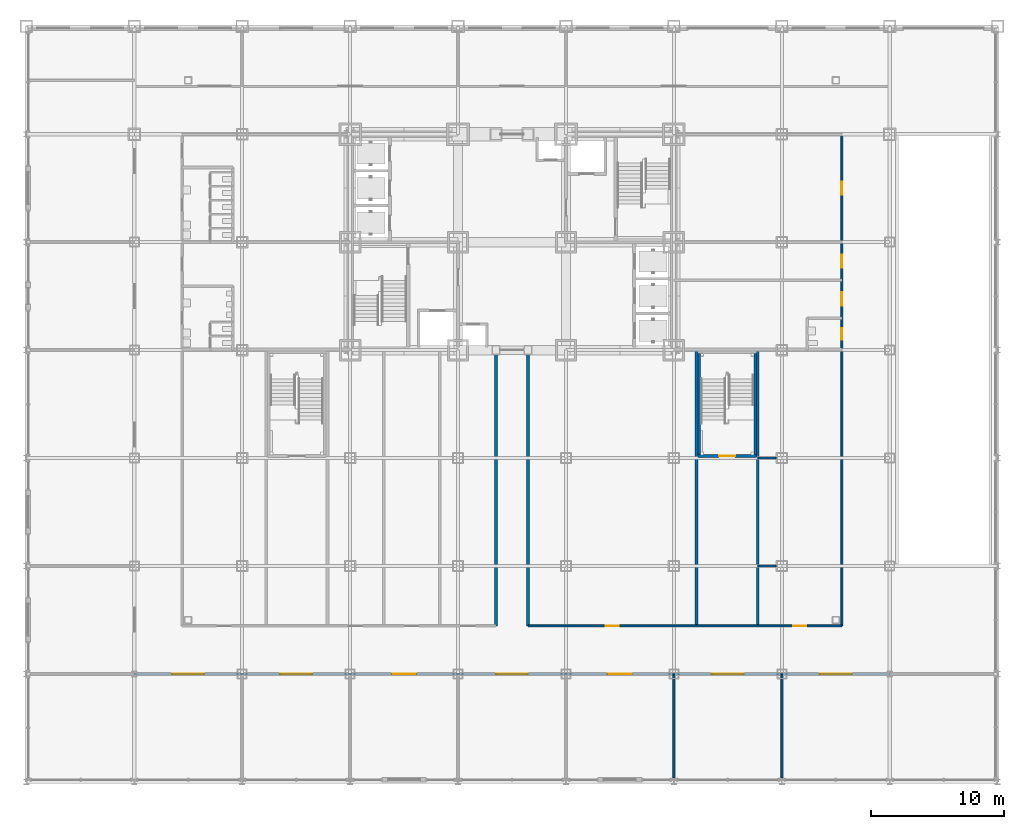
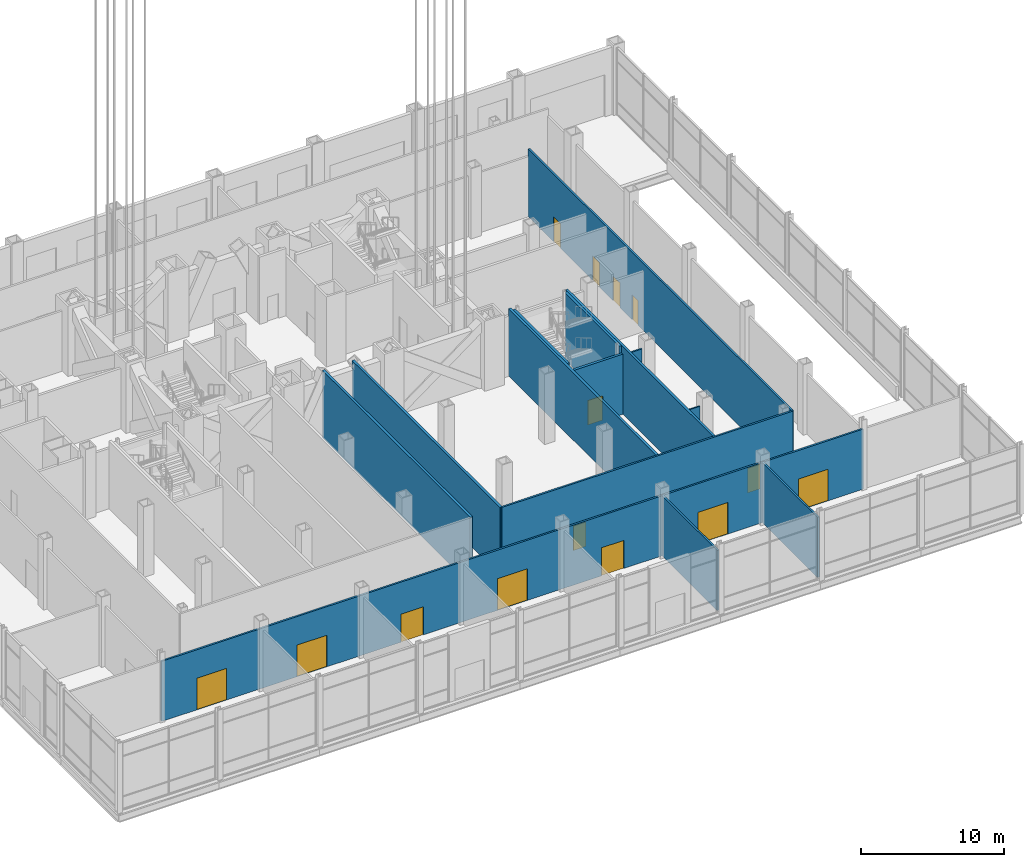
# One storey, part 23 of 35: 14 doors, 14 walls, 14 openings.
"""IFC4 building model written with IfcOpenShell, lengths in metres."""

from ifc_helpers import new_model, si_unit, direction, frame, frame_2d, origin, origin_with_axes, place, context, subcontext, project, spatial, rectangle, extrude, material, layer, layer_set, type_object, element, fill, save


model = new_model("IFC4")

# Units and contexts
model_context = context("Model", 3, precision=1e-05, world=origin(), true_north=direction((0.0, 1.0)))
body_context = subcontext(model_context, "Body", "Model", "MODEL_VIEW")
ifc_project = project(units=[si_unit("LENGTHUNIT", "METRE"), si_unit("AREAUNIT", "SQUARE_METRE"), si_unit("VOLUMEUNIT", "CUBIC_METRE"), si_unit("PLANEANGLEUNIT", "RADIAN"), si_unit("MASSUNIT", "GRAM", prefix="KILO")], contexts=[model_context])

# Site, building, storey
site_placement = place(None, origin())
site = spatial("IfcSite", under=ifc_project, at=site_placement, CompositionType="ELEMENT")
building_placement = place(site_placement, origin())
building = spatial("IfcBuilding", under=site, at=building_placement, Name="Kopane Lantern Tower", CompositionType="ELEMENT")
storey_placement = place(building_placement, origin())
storey = spatial("IfcBuildingStorey", under=building, at=storey_placement, Name="L00", CompositionType="ELEMENT", Elevation=0.0)

# Walls
ifc_material_1 = material(Name="Gypsum board on steel studs", Category="steel")
ifc_layer_1 = layer(ifc_material_1, 0.1201171875)
ifc_layer_set_1 = layer_set([ifc_layer_1], Name="APARTMENT INTERNAL WALL 120")
wall_type_1 = type_object("IfcWallType", Name="APARTMENT INTERNAL WALL 120", PredefinedType="PARTITIONING", material=ifc_layer_set_1)
for number, where, z_axis, x_axis, name in (
    (1, (46.800048828125, 8.10009765625, 0.0), (0.0, 0.0, 1.0), (1.0, 0.0, 0.0), "Apartment Internal Wall 120 L00"),
    (2, (46.800048828125, 16.199951171875, 0.0), (0.0, 0.0, 1.0), (1.0, 0.0, 0.0), "Apartment Internal Wall 120 L00"),
):
    element("IfcWall", number, at=place(storey_placement, frame(where, z_axis=z_axis, x_axis=x_axis)), inside=storey, type_object=wall_type_1, Name=name, PredefinedType="PARTITIONING", context=body_context, shape_type="SweptSolid", body=[
        extrude(rectangle(XDim=1.375, YDim=0.1201171875, at=frame_2d((0.6875, 0.0))), origin(), (0.0, 0.0, 1.0), 5.1376953125),
    ])

# Wall, openings, doors
ifc_material_2 = material(Name="Gypsum board on steel studs", Category="steel")
ifc_layer_2 = layer(ifc_material_2, 0.14990234375)
ifc_layer_set_2 = layer_set([ifc_layer_2], Name="CORRIDOR WALL 150 EI 60")
wall_type_2 = type_object("IfcWallType", Name="CORRIDOR WALL 150 EI 60", PredefinedType="PARTITIONING", material=ifc_layer_set_2)
wall_1_placement = place(storey_placement, origin_with_axes())
wall_1 = element("IfcWall", 3, at=wall_1_placement, inside=storey, type_object=wall_type_2, Name="Corridor Wall 150 Ei 60 L00", PredefinedType="PARTITIONING", context=body_context, shape_type="SweptSolid", body=[
    extrude(rectangle(XDim=56.699951171875, YDim=0.14990234375, at=frame_2d((28.35009765625, 0.0))), origin(), (0.0, 0.0, 1.0), 5.1376953125),
])
opening_1_placement = place(wall_1_placement, frame((10.949951171875, 0.0, 0.0)))
opening_1 = element("IfcOpeningElement", 4, at=opening_1_placement, cuts=wall_1, Name="Opening L00-015", PredefinedType="OPENING", context=body_context, shape_type="SweptSolid", body=[
    extrude(rectangle(XDim=2.39990234375, YDim=2.699951171875, at=frame_2d((1.199951171875, 1.35009765625))), frame((0.0, 0.0849609375, 0.0), z_axis=(0.0, -1.0, 0.0), x_axis=(1.0, 0.0, 0.0)), (0.0, 0.0, 1.0), 0.169921875),
])
opening_2_placement = place(wall_1_placement, frame((19.35009765625, 0.0, 0.0)))
opening_2 = element("IfcOpeningElement", 5, at=opening_2_placement, cuts=wall_1, Name="Opening L00-016", PredefinedType="OPENING", context=body_context, shape_type="SweptSolid", body=[
    extrude(rectangle(XDim=1.800048828125, YDim=2.39990234375, at=frame_2d((0.89990234375, 1.199951171875))), frame((0.0, 0.0849609375, 0.0), z_axis=(0.0, -1.0, 0.0), x_axis=(1.0, 0.0, 0.0)), (0.0, 0.0, 1.0), 0.169921875),
])
opening_3_placement = place(wall_1_placement, frame((27.14990234375, 0.0, 0.0)))
opening_3 = element("IfcOpeningElement", 6, at=opening_3_placement, cuts=wall_1, Name="Opening L00-017", PredefinedType="OPENING", context=body_context, shape_type="SweptSolid", body=[
    extrude(rectangle(XDim=2.39990234375, YDim=2.699951171875, at=frame_2d((1.199951171875, 1.35009765625))), frame((0.0, 0.0849609375, 0.0), z_axis=(0.0, -1.0, 0.0), x_axis=(1.0, 0.0, 0.0)), (0.0, 0.0, 1.0), 0.169921875),
])
opening_4_placement = place(wall_1_placement, frame((35.550048828125, 0.0, 0.0)))
opening_4 = element("IfcOpeningElement", 7, at=opening_4_placement, cuts=wall_1, Name="Opening L00-018", PredefinedType="OPENING", context=body_context, shape_type="SweptSolid", body=[
    extrude(rectangle(XDim=1.800048828125, YDim=2.39990234375, at=frame_2d((0.89990234375, 1.199951171875))), frame((0.0, 0.0849609375, 0.0), z_axis=(0.0, -1.0, 0.0), x_axis=(1.0, 0.0, 0.0)), (0.0, 0.0, 1.0), 0.169921875),
])
opening_5_placement = place(wall_1_placement, frame((43.35009765625, 0.0, 0.0)))
opening_5 = element("IfcOpeningElement", 8, at=opening_5_placement, cuts=wall_1, Name="Opening L00-019", PredefinedType="OPENING", context=body_context, shape_type="SweptSolid", body=[
    extrude(rectangle(XDim=2.39990234375, YDim=2.699951171875, at=frame_2d((1.199951171875, 1.35009765625))), frame((0.0, 0.0849609375, 0.0), z_axis=(0.0, -1.0, 0.0), x_axis=(1.0, 0.0, 0.0)), (0.0, 0.0, 1.0), 0.169921875),
])
opening_6_placement = place(wall_1_placement, frame((2.85009765625, 0.0, 0.0)))
opening_6 = element("IfcOpeningElement", 9, at=opening_6_placement, cuts=wall_1, Name="Opening L00-027", PredefinedType="OPENING", context=body_context, shape_type="SweptSolid", body=[
    extrude(rectangle(XDim=2.39990234375, YDim=2.699951171875, at=frame_2d((1.199951171875, 1.35009765625))), frame((0.0, 0.0849609375, 0.0), z_axis=(0.0, -1.0, 0.0), x_axis=(1.0, 0.0, 0.0)), (0.0, 0.0, 1.0), 0.169921875),
])
opening_7_placement = place(wall_1_placement, frame((51.449951171875, 0.0, 0.0)))
opening_7 = element("IfcOpeningElement", 10, at=opening_7_placement, cuts=wall_1, Name="Opening L00-028", PredefinedType="OPENING", context=body_context, shape_type="SweptSolid", body=[
    extrude(rectangle(XDim=2.39990234375, YDim=2.699951171875, at=frame_2d((1.199951171875, 1.35009765625))), frame((0.0, 0.0849609375, 0.0), z_axis=(0.0, -1.0, 0.0), x_axis=(1.0, 0.0, 0.0)), (0.0, 0.0, 1.0), 0.169921875),
])
ifc_material_3 = material(Name="Steel door set", Category="steel")
door_type_1 = type_object("IfcDoorType", Name="DOOR D6 1800x2400 FD30S", OperationType="SINGLE_SWING_LEFT", PredefinedType="DOOR", material=ifc_material_3)
door_1_placement = place(opening_2_placement, origin())
door_1 = element("IfcDoor", 11, at=door_1_placement, inside=storey, type_object=door_type_1, Name="Door L00-016", OperationType="DOUBLE_DOOR_SINGLE_SWING", OverallHeight=2.39990234375, OverallWidth=1.800048828125, PredefinedType="DOOR", context=body_context, shape_type="SweptSolid", body=[
    extrude(rectangle(XDim=1.800048828125, YDim=2.39990234375, at=frame_2d((0.89990234375, 1.199951171875))), frame((0.0, 0.02490234375, 0.0), z_axis=(0.0, -1.0, 0.0), x_axis=(1.0, 0.0, 0.0)), (0.0, 0.0, 1.0), 0.050048828125),
])
fill(opening_2, door_1)
door_2_placement = place(opening_4_placement, origin())
door_2 = element("IfcDoor", 12, at=door_2_placement, inside=storey, type_object=door_type_1, Name="Door L00-018", OperationType="DOUBLE_DOOR_SINGLE_SWING", OverallHeight=2.39990234375, OverallWidth=1.800048828125, PredefinedType="DOOR", context=body_context, shape_type="SweptSolid", body=[
    extrude(rectangle(XDim=1.800048828125, YDim=2.39990234375, at=frame_2d((0.89990234375, 1.199951171875))), frame((0.0, 0.02490234375, 0.0), z_axis=(0.0, -1.0, 0.0), x_axis=(1.0, 0.0, 0.0)), (0.0, 0.0, 1.0), 0.050048828125),
])
fill(opening_4, door_2)
ifc_material_4 = material(Name="Timber door set", Category="wood")
door_type_2 = type_object("IfcDoorType", Name="DOOR D7 2400x2700 SHOPFRONT", OperationType="SINGLE_SWING_LEFT", PredefinedType="DOOR", material=ifc_material_4)
door_3_placement = place(opening_1_placement, origin())
door_3 = element("IfcDoor", 13, at=door_3_placement, inside=storey, type_object=door_type_2, Name="Door L00-015", OperationType="DOUBLE_DOOR_SINGLE_SWING", OverallHeight=2.699951171875, OverallWidth=2.39990234375, PredefinedType="DOOR", context=body_context, shape_type="SweptSolid", body=[
    extrude(rectangle(XDim=2.39990234375, YDim=2.699951171875, at=frame_2d((1.199951171875, 1.35009765625))), frame((0.0, 0.02490234375, 0.0), z_axis=(0.0, -1.0, 0.0), x_axis=(1.0, 0.0, 0.0)), (0.0, 0.0, 1.0), 0.050048828125),
])
fill(opening_1, door_3)
door_4_placement = place(opening_3_placement, origin())
door_4 = element("IfcDoor", 14, at=door_4_placement, inside=storey, type_object=door_type_2, Name="Door L00-017", OperationType="DOUBLE_DOOR_SINGLE_SWING", OverallHeight=2.699951171875, OverallWidth=2.39990234375, PredefinedType="DOOR", context=body_context, shape_type="SweptSolid", body=[
    extrude(rectangle(XDim=2.39990234375, YDim=2.699951171875, at=frame_2d((1.199951171875, 1.35009765625))), frame((0.0, 0.02490234375, 0.0), z_axis=(0.0, -1.0, 0.0), x_axis=(1.0, 0.0, 0.0)), (0.0, 0.0, 1.0), 0.050048828125),
])
fill(opening_3, door_4)
door_5_placement = place(opening_5_placement, origin())
door_5 = element("IfcDoor", 15, at=door_5_placement, inside=storey, type_object=door_type_2, Name="Door L00-019", OperationType="DOUBLE_DOOR_SINGLE_SWING", OverallHeight=2.699951171875, OverallWidth=2.39990234375, PredefinedType="DOOR", context=body_context, shape_type="SweptSolid", body=[
    extrude(rectangle(XDim=2.39990234375, YDim=2.699951171875, at=frame_2d((1.199951171875, 1.35009765625))), frame((0.0, 0.02490234375, 0.0), z_axis=(0.0, -1.0, 0.0), x_axis=(1.0, 0.0, 0.0)), (0.0, 0.0, 1.0), 0.050048828125),
])
fill(opening_5, door_5)
door_6_placement = place(opening_6_placement, origin())
door_6 = element("IfcDoor", 16, at=door_6_placement, inside=storey, type_object=door_type_2, Name="Door L00-027", OperationType="DOUBLE_DOOR_SINGLE_SWING", OverallHeight=2.699951171875, OverallWidth=2.39990234375, PredefinedType="DOOR", context=body_context, shape_type="SweptSolid", body=[
    extrude(rectangle(XDim=2.39990234375, YDim=2.699951171875, at=frame_2d((1.199951171875, 1.35009765625))), frame((0.0, 0.02490234375, 0.0), z_axis=(0.0, -1.0, 0.0), x_axis=(1.0, 0.0, 0.0)), (0.0, 0.0, 1.0), 0.050048828125),
])
fill(opening_6, door_6)
door_7_placement = place(opening_7_placement, origin())
door_7 = element("IfcDoor", 17, at=door_7_placement, inside=storey, type_object=door_type_2, Name="Door L00-028", OperationType="DOUBLE_DOOR_SINGLE_SWING", OverallHeight=2.699951171875, OverallWidth=2.39990234375, PredefinedType="DOOR", context=body_context, shape_type="SweptSolid", body=[
    extrude(rectangle(XDim=2.39990234375, YDim=2.699951171875, at=frame_2d((1.199951171875, 1.35009765625))), frame((0.0, 0.02490234375, 0.0), z_axis=(0.0, -1.0, 0.0), x_axis=(1.0, 0.0, 0.0)), (0.0, 0.0, 1.0), 0.050048828125),
])
fill(opening_7, door_7)

wall_2_placement = place(storey_placement, frame((53.10009765625, 3.60009765625, 0.0), z_axis=(0.0, 0.0, 1.0), x_axis=(0.0, 1.0, 0.0)))
wall_2 = element("IfcWall", 18, at=wall_2_placement, inside=storey, type_object=wall_type_2, Name="Corridor Wall 150 Ei 60 L00", PredefinedType="PARTITIONING", context=body_context, shape_type="SweptSolid", body=[
    extrude(rectangle(XDim=36.89990234375, YDim=0.14990234375, at=frame_2d((18.449951171875, 0.0))), origin(), (0.0, 0.0, 1.0), 5.75),
])
opening_8_placement = place(wall_2_placement, frame((21.47509765625, 0.0, 0.0)))
opening_8 = element("IfcOpeningElement", 19, at=opening_8_placement, cuts=wall_2, Name="Opening L00-005", PredefinedType="OPENING", context=body_context, shape_type="SweptSolid", body=[
    extrude(rectangle(XDim=0.85009765625, YDim=2.10009765625, at=frame_2d((0.425048828125, 1.050048828125))), frame((0.0, 0.0849609375, 0.0), z_axis=(0.0, -1.0, 0.0), x_axis=(1.0, 0.0, 0.0)), (0.0, 0.0, 1.0), 0.169921875),
])
opening_9_placement = place(wall_2_placement, frame((24.02490234375, 0.0, 0.0)))
opening_9 = element("IfcOpeningElement", 20, at=opening_9_placement, cuts=wall_2, Name="Opening L00-006", PredefinedType="OPENING", context=body_context, shape_type="SweptSolid", body=[
    extrude(rectangle(XDim=1.0, YDim=2.10009765625, at=frame_2d((0.5, 1.050048828125))), frame((0.0, 0.0849609375, 0.0), z_axis=(0.0, -1.0, 0.0), x_axis=(1.0, 0.0, 0.0)), (0.0, 0.0, 1.0), 0.169921875),
])
opening_10_placement = place(wall_2_placement, frame((26.875, 0.0, 0.0)))
opening_10 = element("IfcOpeningElement", 21, at=opening_10_placement, cuts=wall_2, Name="Opening L00-007", PredefinedType="OPENING", context=body_context, shape_type="SweptSolid", body=[
    extrude(rectangle(XDim=1.0, YDim=2.10009765625, at=frame_2d((0.5, 1.050048828125))), frame((0.0, 0.0849609375, 0.0), z_axis=(0.0, -1.0, 0.0), x_axis=(1.0, 0.0, 0.0)), (0.0, 0.0, 1.0), 0.169921875),
])
opening_11_placement = place(wall_2_placement, frame((32.35009765625, 0.0, 0.0)))
opening_11 = element("IfcOpeningElement", 22, at=opening_11_placement, cuts=wall_2, Name="Opening L00-008", PredefinedType="OPENING", context=body_context, shape_type="SweptSolid", body=[
    extrude(rectangle(XDim=1.0, YDim=2.10009765625, at=frame_2d((0.5, 1.050048828125))), frame((0.0, 0.0849609375, 0.0), z_axis=(0.0, -1.0, 0.0), x_axis=(1.0, 0.0, 0.0)), (0.0, 0.0, 1.0), 0.169921875),
])
ifc_material_5 = material(Name="Timber door set", Category="wood")
door_type_3 = type_object("IfcDoorType", Name="DOOR D4 850x2100", OperationType="SINGLE_SWING_LEFT", PredefinedType="DOOR", material=ifc_material_5)
door_8_placement = place(opening_8_placement, origin())
door_8 = element("IfcDoor", 23, at=door_8_placement, inside=storey, type_object=door_type_3, Name="Door L00-005", OperationType="SINGLE_SWING_LEFT", OverallHeight=2.10009765625, OverallWidth=0.85009765625, PredefinedType="DOOR", context=body_context, shape_type="SweptSolid", body=[
    extrude(rectangle(XDim=0.85009765625, YDim=2.10009765625, at=frame_2d((0.425048828125, 1.050048828125))), frame((0.0, 0.02490234375, 0.0), z_axis=(0.0, -1.0, 0.0), x_axis=(1.0, 0.0, 0.0)), (0.0, 0.0, 1.0), 0.050048828125),
])
fill(opening_8, door_8)
ifc_material_6 = material(Name="Steel door set", Category="steel")
door_type_4 = type_object("IfcDoorType", Name="DOOR D5 1000x2100 FD60", OperationType="SINGLE_SWING_LEFT", PredefinedType="DOOR", material=ifc_material_6)
door_9_placement = place(opening_9_placement, origin())
door_9 = element("IfcDoor", 24, at=door_9_placement, inside=storey, type_object=door_type_4, Name="Door L00-006", OperationType="SINGLE_SWING_RIGHT", OverallHeight=2.10009765625, OverallWidth=1.0, PredefinedType="DOOR", context=body_context, shape_type="SweptSolid", body=[
    extrude(rectangle(XDim=1.0, YDim=2.10009765625, at=frame_2d((0.5, 1.050048828125))), frame((0.0, 0.02490234375, 0.0), z_axis=(0.0, -1.0, 0.0), x_axis=(1.0, 0.0, 0.0)), (0.0, 0.0, 1.0), 0.050048828125),
])
fill(opening_9, door_9)
door_10_placement = place(opening_10_placement, origin())
door_10 = element("IfcDoor", 25, at=door_10_placement, inside=storey, type_object=door_type_4, Name="Door L00-007", OperationType="SINGLE_SWING_LEFT", OverallHeight=2.10009765625, OverallWidth=1.0, PredefinedType="DOOR", context=body_context, shape_type="SweptSolid", body=[
    extrude(rectangle(XDim=1.0, YDim=2.10009765625, at=frame_2d((0.5, 1.050048828125))), frame((0.0, 0.02490234375, 0.0), z_axis=(0.0, -1.0, 0.0), x_axis=(1.0, 0.0, 0.0)), (0.0, 0.0, 1.0), 0.050048828125),
])
fill(opening_10, door_10)
door_11_placement = place(opening_11_placement, origin())
door_11 = element("IfcDoor", 26, at=door_11_placement, inside=storey, type_object=door_type_4, Name="Door L00-008", OperationType="SINGLE_SWING_RIGHT", OverallHeight=2.10009765625, OverallWidth=1.0, PredefinedType="DOOR", context=body_context, shape_type="SweptSolid", body=[
    extrude(rectangle(XDim=1.0, YDim=2.10009765625, at=frame_2d((0.5, 1.050048828125))), frame((0.0, 0.02490234375, 0.0), z_axis=(0.0, -1.0, 0.0), x_axis=(1.0, 0.0, 0.0)), (0.0, 0.0, 1.0), 0.050048828125),
])
fill(opening_11, door_11)

wall_3_placement = place(storey_placement, frame((29.56005859375, 3.60009765625, 0.0), z_axis=(0.0, 0.0, 1.0), x_axis=(1.0, 0.0, 0.0)))
wall_3 = element("IfcWall", 27, at=wall_3_placement, inside=storey, type_object=wall_type_2, Name="Corridor Wall 150 Ei 60 L00", PredefinedType="PARTITIONING", context=body_context, shape_type="SweptSolid", body=[
    extrude(rectangle(XDim=23.5400390625, YDim=0.14990234375, at=frame_2d((11.77001953125, 0.0))), origin(), (0.0, 0.0, 1.0), 5.75),
])
opening_12_placement = place(wall_3_placement, frame((5.81494140625, 0.0, 0.0)))
opening_12 = element("IfcOpeningElement", 28, at=opening_12_placement, cuts=wall_3, Name="Opening L00-013", PredefinedType="OPENING", context=body_context, shape_type="SweptSolid", body=[
    extrude(rectangle(XDim=1.0, YDim=2.10009765625, at=frame_2d((0.5, 1.050048828125))), frame((0.0, 0.0849609375, 0.0), z_axis=(0.0, -1.0, 0.0), x_axis=(1.0, 0.0, 0.0)), (0.0, 0.0, 1.0), 0.169921875),
])
opening_13_placement = place(wall_3_placement, frame((19.889892578125, 0.0, 0.0)))
opening_13 = element("IfcOpeningElement", 29, at=opening_13_placement, cuts=wall_3, Name="Opening L00-014", PredefinedType="OPENING", context=body_context, shape_type="SweptSolid", body=[
    extrude(rectangle(XDim=1.0, YDim=2.10009765625, at=frame_2d((0.5, 1.050048828125))), frame((0.0, 0.0849609375, 0.0), z_axis=(0.0, -1.0, 0.0), x_axis=(1.0, 0.0, 0.0)), (0.0, 0.0, 1.0), 0.169921875),
])
door_12_placement = place(opening_12_placement, origin())
door_12 = element("IfcDoor", 30, at=door_12_placement, inside=storey, type_object=door_type_4, Name="Door L00-013", OperationType="SINGLE_SWING_LEFT", OverallHeight=2.10009765625, OverallWidth=1.0, PredefinedType="DOOR", context=body_context, shape_type="SweptSolid", body=[
    extrude(rectangle(XDim=1.0, YDim=2.10009765625, at=frame_2d((0.5, 1.050048828125))), frame((0.0, 0.02490234375, 0.0), z_axis=(0.0, -1.0, 0.0), x_axis=(1.0, 0.0, 0.0)), (0.0, 0.0, 1.0), 0.050048828125),
])
fill(opening_12, door_12)
door_13_placement = place(opening_13_placement, origin())
door_13 = element("IfcDoor", 31, at=door_13_placement, inside=storey, type_object=door_type_4, Name="Door L00-014", OperationType="SINGLE_SWING_RIGHT", OverallHeight=2.10009765625, OverallWidth=1.0, PredefinedType="DOOR", context=body_context, shape_type="SweptSolid", body=[
    extrude(rectangle(XDim=1.0, YDim=2.10009765625, at=frame_2d((0.5, 1.050048828125))), frame((0.0, 0.02490234375, 0.0), z_axis=(0.0, -1.0, 0.0), x_axis=(1.0, 0.0, 0.0)), (0.0, 0.0, 1.0), 0.050048828125),
])
fill(opening_13, door_13)

# Walls
ifc_material_7 = material(Name="Gypsum board on steel studs", Category="steel")
ifc_layer_3 = layer(ifc_material_7, 0.14990234375)
ifc_layer_set_3 = layer_set([ifc_layer_3], Name="DEMISING WALL 150 EI 60")
wall_type_3 = type_object("IfcWallType", Name="DEMISING WALL 150 EI 60", PredefinedType="PARTITIONING", material=ifc_layer_set_3)
for number, where, z_axis, x_axis, name in (
    (32, (40.5, 0.0, 0.0), (0.0, 0.0, 1.0), (0.0, -1.0, 0.0), "Demising Wall 150 Ei 60 L00"),
    (33, (48.60009765625, 0.0, 0.0), (0.0, 0.0, 1.0), (0.0, -1.0, 0.0), "Demising Wall 150 Ei 60 L00"),
):
    element("IfcWall", number, at=place(storey_placement, frame(where, z_axis=z_axis, x_axis=x_axis)), inside=storey, type_object=wall_type_3, Name=name, PredefinedType="PARTITIONING", context=body_context, shape_type="SweptSolid", body=[
        extrude(rectangle(XDim=7.800048828125, YDim=0.14990234375, at=frame_2d((3.89990234375, 0.0))), origin(), (0.0, 0.0, 1.0), 5.1376953125),
    ])
ifc_material_8 = material(Name="Concrete masonry", Category="masonry")
ifc_layer_4 = layer(ifc_material_8, 0.199951171875)
ifc_layer_set_4 = layer_set([ifc_layer_4], Name="PLANT ROOM WALL 200 EI 120")
wall_type_4 = type_object("IfcWallType", Name="PLANT ROOM WALL 200 EI 120", PredefinedType="SOLIDWALL", material=ifc_layer_set_4)
for number, where, z_axis, x_axis, name in (
    (34, (42.199951171875, 3.60009765625, 0.0), (0.0, 0.0, 1.0), (0.0, 1.0, 0.0), "Plant Room Wall 200 Ei 120 L00"),
    (35, (46.800048828125, 3.60009765625, 0.0), (0.0, 0.0, 1.0), (0.0, 1.0, 0.0), "Plant Room Wall 200 Ei 120 L00"),
    (36, (27.14990234375, 3.60009765625, 0.0), (0.0, 0.0, 1.0), (0.0, 1.0, 0.0), "Plant Room Wall 200 Ei 120 L00"),
    (37, (29.550048828125, 3.60009765625, 0.0), (0.0, 0.0, 1.0), (0.0, 1.0, 0.0), "Plant Room Wall 200 Ei 120 L00"),
):
    element("IfcWall", number, at=place(storey_placement, frame(where, z_axis=z_axis, x_axis=x_axis)), inside=storey, type_object=wall_type_4, Name=name, PredefinedType="SOLIDWALL", context=body_context, shape_type="SweptSolid", body=[
        extrude(rectangle(XDim=20.699951171875, YDim=0.199951171875, at=frame_2d((10.35009765625, 0.0))), origin(), (0.0, 0.0, 1.0), 5.75),
    ])

# Wall, opening, door
ifc_material_9 = material(Name="Gypsum shaft wall EI 120", Category="gypsum")
ifc_layer_5 = layer(ifc_material_9, 0.199951171875)
ifc_layer_set_5 = layer_set([ifc_layer_5], Name="SHAFT WALL 200 EI 120")
wall_type_5 = type_object("IfcWallType", Name="SHAFT WALL 200 EI 120", PredefinedType="SOLIDWALL", material=ifc_layer_set_5)
wall_4_placement = place(storey_placement, frame((42.300048828125, 16.35009765625, 0.0), z_axis=(0.0, 0.0, 1.0), x_axis=(1.0, 0.0, 0.0)))
wall_4 = element("IfcWall", 38, at=wall_4_placement, inside=storey, type_object=wall_type_5, Name="Stair enclosure wall ST4 L00", PredefinedType="SOLIDWALL", context=body_context, shape_type="SweptSolid", body=[
    extrude(rectangle(XDim=4.39990234375, YDim=0.199951171875, at=frame_2d((2.199951171875, 0.0))), origin(), (0.0, 0.0, 1.0), 5.1376953125),
])
opening_14_placement = place(wall_4_placement, frame((1.60009765625, 0.0, 0.0)))
opening_14 = element("IfcOpeningElement", 39, at=opening_14_placement, cuts=wall_4, Name="Opening 00.SD4", PredefinedType="OPENING", context=body_context, shape_type="SweptSolid", body=[
    extrude(rectangle(XDim=1.199951171875, YDim=2.10009765625, at=frame_2d((0.60009765625, 1.050048828125))), frame((0.0, 0.10986328125, 0.0), z_axis=(0.0, -1.0, 0.0), x_axis=(1.0, 0.0, 0.0)), (0.0, 0.0, 1.0), 0.219970703125),
])
ifc_material_10 = material(Name="Steel door set", Category="steel")
door_type_5 = type_object("IfcDoorType", Name="STAIR DOOR 1200x2100 FD60S", OperationType="SINGLE_SWING_LEFT", PredefinedType="DOOR", material=ifc_material_10)
door_14_placement = place(opening_14_placement, origin())
door_14 = element("IfcDoor", 40, at=door_14_placement, inside=storey, type_object=door_type_5, Name="Stair door ST4 L00", OperationType="SINGLE_SWING_LEFT", OverallHeight=2.10009765625, OverallWidth=1.199951171875, PredefinedType="DOOR", context=body_context, shape_type="SweptSolid", body=[
    extrude(rectangle(XDim=1.199951171875, YDim=2.10009765625, at=frame_2d((0.60009765625, 1.050048828125))), frame((0.0, 0.02490234375, 0.0), z_axis=(0.0, -1.0, 0.0), x_axis=(1.0, 0.0, 0.0)), (0.0, 0.0, 1.0), 0.050048828125),
])
fill(opening_14, door_14)

# Walls
for number, where, z_axis, x_axis, name in (
    (41, (42.39990234375, 16.449951171875, 0.0), (0.0, 0.0, 1.0), (0.0, 1.0, 0.0), "Stair enclosure wall ST4 L00"),
    (42, (46.60009765625, 16.449951171875, 0.0), (0.0, 0.0, 1.0), (0.0, 1.0, 0.0), "Stair enclosure wall ST4 L00"),
):
    element("IfcWall", number, at=place(storey_placement, frame(where, z_axis=z_axis, x_axis=x_axis)), inside=storey, type_object=wall_type_5, Name=name, PredefinedType="SOLIDWALL", context=body_context, shape_type="SweptSolid", body=[
        extrude(rectangle(XDim=7.60009765625, YDim=0.199951171875, at=frame_2d((3.800048828125, 0.0))), origin(), (0.0, 0.0, 1.0), 5.75),
    ])

save(model, "model.ifc")
